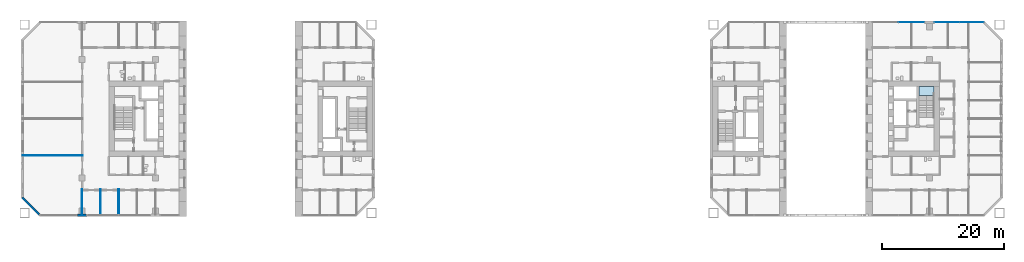
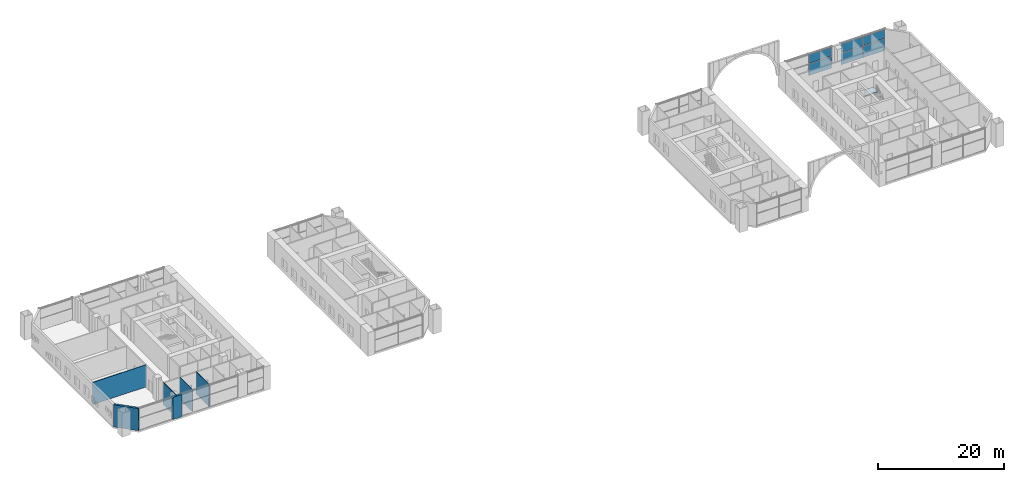
# One storey, part 9 of 21: 6 plates, 6 walls, 1 slab, 3 elements without a shape of their own.
"""IFC4 building model written with IfcOpenShell, lengths in metres."""

from ifc_helpers import new_model, si_unit, direction, frame, frame_2d, origin, origin_2d, place, context, subcontext, project, spatial, polyline, rectangle, outline, extrude, material, layer, layer_set, type_object, element, aggregate, save


model = new_model("IFC4")

# Units and contexts
model_context = context("Model", 3, precision=1e-05, world=origin(), true_north=direction((0.0, 1.0)))
body_context = subcontext(model_context, "Body", "Model", "MODEL_VIEW")
ifc_project = project(units=[si_unit("LENGTHUNIT", "METRE"), si_unit("AREAUNIT", "SQUARE_METRE"), si_unit("VOLUMEUNIT", "CUBIC_METRE"), si_unit("PLANEANGLEUNIT", "RADIAN"), si_unit("MASSUNIT", "GRAM", prefix="KILO")], contexts=[model_context])

# Site, building, storey
site_placement = place(None, origin())
site = spatial("IfcSite", under=ifc_project, at=site_placement, CompositionType="ELEMENT")
building_placement = place(site_placement, origin())
building = spatial("IfcBuilding", under=site, at=building_placement, Name="Tuart Gate Housing", CompositionType="ELEMENT")
storey_placement = place(building_placement, frame((0.0, 0.0, 5.5)))
storey = spatial("IfcBuildingStorey", under=building, at=storey_placement, Name="L01", CompositionType="ELEMENT", Elevation=5.5)

# Curtain wall, plates
ifc_material_1 = material(Name="Aluminium and clear glass", Category="aluminium")
curtain_wall_type = type_object("IfcCurtainWallType", Name="Podium health glazing", PredefinedType="USERDEFINED", material=ifc_material_1)
curtain_wall_1_placement = place(storey_placement, origin())
curtain_wall_1 = element("IfcCurtainWall", 1, at=curtain_wall_1_placement, inside=storey, type_object=curtain_wall_type, Name="Podium health glazing B-N L01", ObjectType="PODIUM HEALTH GLAZING", PredefinedType="USERDEFINED")
ifc_material_2 = material(Name="Clear glass", Category="glass")
ifc_layer_1 = layer(ifc_material_2, 0.028076171875)
ifc_layer_set_1 = layer_set([ifc_layer_1], Name="Glazed panel 28")
plate_type = type_object("IfcPlateType", Name="Glazed panel 28", PredefinedType="CURTAIN_PANEL", material=ifc_layer_set_1)
plate_1_placement = place(storey_placement, frame((173.879150390625, 85.820068359375, 0.1201171875), z_axis=(0.0, 0.0, 1.0), x_axis=(-1.0, 0.0, 0.0)))
plate_1 = element("IfcPlate", 2, at=plate_1_placement, type_object=plate_type, Name="CW1 panel 1.1", PredefinedType="CURTAIN_PANEL", context=body_context, shape_type="SweptSolid", body=[
    extrude(rectangle(XDim=3.97265625, YDim=0.028076171875, at=origin_2d()), origin(), (0.0, 0.0, 1.0), 2.219970703125),
])
plate_2_placement = place(storey_placement, frame((173.879150390625, 85.820068359375, 2.4599609375), z_axis=(0.0, 0.0, 1.0), x_axis=(-1.0, 0.0, 0.0)))
plate_2 = element("IfcPlate", 3, at=plate_2_placement, type_object=plate_type, Name="CW1 panel 1.2", PredefinedType="CURTAIN_PANEL", context=body_context, shape_type="SweptSolid", body=[
    extrude(rectangle(XDim=3.97265625, YDim=0.028076171875, at=origin_2d()), origin(), (0.0, 0.0, 1.0), 1.719970703125),
])
plate_3_placement = place(storey_placement, frame((169.846435546875, 85.820068359375, 0.1201171875), z_axis=(0.0, 0.0, 1.0), x_axis=(-1.0, 0.0, 0.0)))
plate_3 = element("IfcPlate", 4, at=plate_3_placement, type_object=plate_type, Name="CW1 panel 2.1", PredefinedType="CURTAIN_PANEL", context=body_context, shape_type="SweptSolid", body=[
    extrude(rectangle(XDim=3.97265625, YDim=0.028076171875, at=origin_2d()), origin(), (0.0, 0.0, 1.0), 2.219970703125),
])
plate_4_placement = place(storey_placement, frame((169.846435546875, 85.820068359375, 2.4599609375), z_axis=(0.0, 0.0, 1.0), x_axis=(-1.0, 0.0, 0.0)))
plate_4 = element("IfcPlate", 5, at=plate_4_placement, type_object=plate_type, Name="CW1 panel 2.2", PredefinedType="CURTAIN_PANEL", context=body_context, shape_type="SweptSolid", body=[
    extrude(rectangle(XDim=3.97265625, YDim=0.028076171875, at=origin_2d()), origin(), (0.0, 0.0, 1.0), 1.719970703125),
])
aggregate(curtain_wall_1, [plate_1, plate_2, plate_3, plate_4])

curtain_wall_2_placement = place(storey_placement, origin())
curtain_wall_2 = element("IfcCurtainWall", 6, at=curtain_wall_2_placement, inside=storey, type_object=curtain_wall_type, Name="Podium health glazing B-N L01", ObjectType="PODIUM HEALTH GLAZING", PredefinedType="USERDEFINED")
plate_5_placement = place(storey_placement, frame((164.047607421875, 85.820068359375, 0.1201171875), z_axis=(0.0, 0.0, 1.0), x_axis=(-1.0, 0.0, 0.0)))
plate_5 = element("IfcPlate", 7, at=plate_5_placement, type_object=plate_type, Name="CW1 panel 1.1", PredefinedType="CURTAIN_PANEL", context=body_context, shape_type="SweptSolid", body=[
    extrude(rectangle(XDim=4.18505859375, YDim=0.028076171875, at=origin_2d()), origin(), (0.0, 0.0, 1.0), 2.219970703125),
])
plate_6_placement = place(storey_placement, frame((164.047607421875, 85.820068359375, 2.4599609375), z_axis=(0.0, 0.0, 1.0), x_axis=(-1.0, 0.0, 0.0)))
plate_6 = element("IfcPlate", 8, at=plate_6_placement, type_object=plate_type, Name="CW1 panel 1.2", PredefinedType="CURTAIN_PANEL", context=body_context, shape_type="SweptSolid", body=[
    extrude(rectangle(XDim=4.18505859375, YDim=0.028076171875, at=origin_2d()), origin(), (0.0, 0.0, 1.0), 1.719970703125),
])
aggregate(curtain_wall_2, [plate_5, plate_6])

# Stair, slab
ifc_material_3 = material(Name="Concrete C40", Category="concrete")
stair_type = type_object("IfcStairType", Name="Core stair 1250", PredefinedType="HALF_TURN_STAIR", material=ifc_material_3)
stair_placement = place(storey_placement, origin())
stair = element("IfcStair", 9, at=stair_placement, inside=storey, type_object=stair_type, Name="Stair SB2", PredefinedType="HALF_TURN_STAIR")
ifc_material_4 = material(Name="Concrete C40", Category="concrete")
ifc_layer_2 = layer(ifc_material_4, 0.199951171875)
ifc_layer_set_2 = layer_set([ifc_layer_2], Name="Stair landing 200")
slab_type = type_object("IfcSlabType", Name="Stair landing 200", PredefinedType="LANDING", material=ifc_layer_set_2)
slab_placement = place(storey_placement, frame((0.0, 0.0, 2.10009765625)))
slab = element("IfcSlab", 10, at=slab_placement, type_object=slab_type, Name="SB2 landing 1", PredefinedType="LANDING", context=body_context, shape_type="SweptSolid", body=[
    extrude(outline(polyline([(165.239990234375, 73.840087890625), (167.739990234375, 73.840087890625), (167.739990234375, 75.300048828125), (165.239990234375, 75.300048828125), (165.239990234375, 73.840087890625)])), origin(), (0.0, 0.0, 1.0), 0.199951171875),
])
aggregate(stair, [slab])

# Walls
ifc_material_5 = material(Name="Brick", Category="masonry")
ifc_layer_3 = layer(ifc_material_5, 0.360107421875)
ifc_layer_set_3 = layer_set([ifc_layer_3], Name="Brick pier and spandrel wall 360")
wall_type_1 = type_object("IfcWallType", Name="Brick pier and spandrel wall 360", PredefinedType="STANDARD", material=ifc_layer_set_3)
wall_1_placement = place(storey_placement, frame((18.179931640625, 57.07470703125, 0.0), z_axis=(0.0, 0.0, 1.0), x_axis=(0.707106781187, -0.707106781187, 0.0)))
element("IfcWall", 11, at=wall_1_placement, inside=storey, type_object=wall_type_1, Name="External wall A-SW L01", PredefinedType="STANDARD", context=body_context, shape_type="SweptSolid", body=[
    extrude(rectangle(XDim=4.09375, YDim=0.360107421875, at=frame_2d((2.046875, 0.0))), origin(), (0.0, 0.0, 1.0), 4.300048828125),
])
wall_2_placement = place(storey_placement, frame((27.199951171875, 54.179931640625, 0.0), z_axis=(0.0, 0.0, 1.0), x_axis=(1.0, 0.0, 0.0)))
element("IfcWall", 12, at=wall_2_placement, inside=storey, type_object=wall_type_1, Name="External wall A-S L01", PredefinedType="STANDARD", context=body_context, shape_type="SweptSolid", body=[
    extrude(rectangle(XDim=1.60009765625, YDim=0.360107421875, at=frame_2d((0.800048828125, 0.0))), origin(), (0.0, 0.0, 1.0), 4.300048828125),
])
ifc_material_6 = material(Name="Gypsum board on steel studs", Category="steel")
ifc_layer_4 = layer(ifc_material_6, 0.10009765625)
ifc_layer_set_4 = layer_set([ifc_layer_4], Name="Partition 100")
wall_type_2 = type_object("IfcWallType", Name="Partition 100", PredefinedType="PARTITIONING", material=ifc_layer_set_4)
wall_3_placement = place(storey_placement, frame((18.239990234375, 64.0, 0.0), z_axis=(0.0, 0.0, 1.0), x_axis=(1.0, 0.0, 0.0)))
element("IfcWall", 13, at=wall_3_placement, inside=storey, type_object=wall_type_2, Name="Partition 100", PredefinedType="PARTITIONING", context=body_context, shape_type="SweptSolid", body=[
    extrude(rectangle(XDim=9.860107421875, YDim=0.10009765625, at=frame_2d((4.93017578125, 0.0))), origin(), (0.0, 0.0, 1.0), 4.300048828125),
])
wall_4_placement = place(storey_placement, frame((28.0, 54.239990234375, 0.0), z_axis=(0.0, 0.0, 1.0), x_axis=(0.0, 1.0, 0.0)))
element("IfcWall", 14, at=wall_4_placement, inside=storey, type_object=wall_type_2, Name="Partition 100", PredefinedType="PARTITIONING", context=body_context, shape_type="SweptSolid", body=[
    extrude(rectangle(XDim=4.162109375, YDim=0.10009765625, at=frame_2d((2.0810546875, 0.0))), origin(), (0.0, 0.0, 1.0), 4.300048828125),
])
for number, where, z_axis, x_axis, name in (
    (15, (31.0, 54.239990234375, 0.0), (0.0, 0.0, 1.0), (0.0, 1.0, 0.0), "Partition 100"),
    (16, (34.0, 54.239990234375, 0.0), (0.0, 0.0, 1.0), (0.0, 1.0, 0.0), "Partition 100"),
):
    element("IfcWall", number, at=place(storey_placement, frame(where, z_axis=z_axis, x_axis=x_axis)), inside=storey, type_object=wall_type_2, Name=name, PredefinedType="PARTITIONING", context=body_context, shape_type="SweptSolid", body=[
        extrude(rectangle(XDim=4.159912109375, YDim=0.10009765625, at=frame_2d((2.080078125, 0.0))), origin(), (0.0, 0.0, 1.0), 4.300048828125),
    ])

save(model, "model.ifc")
